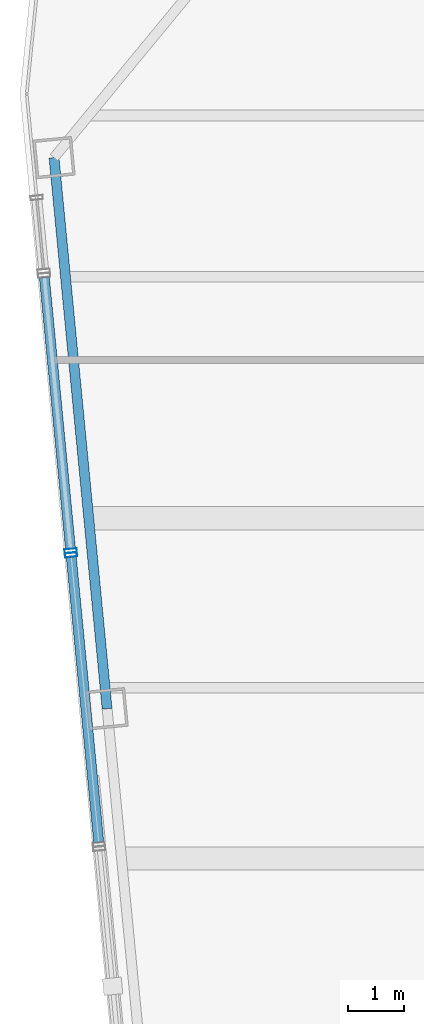
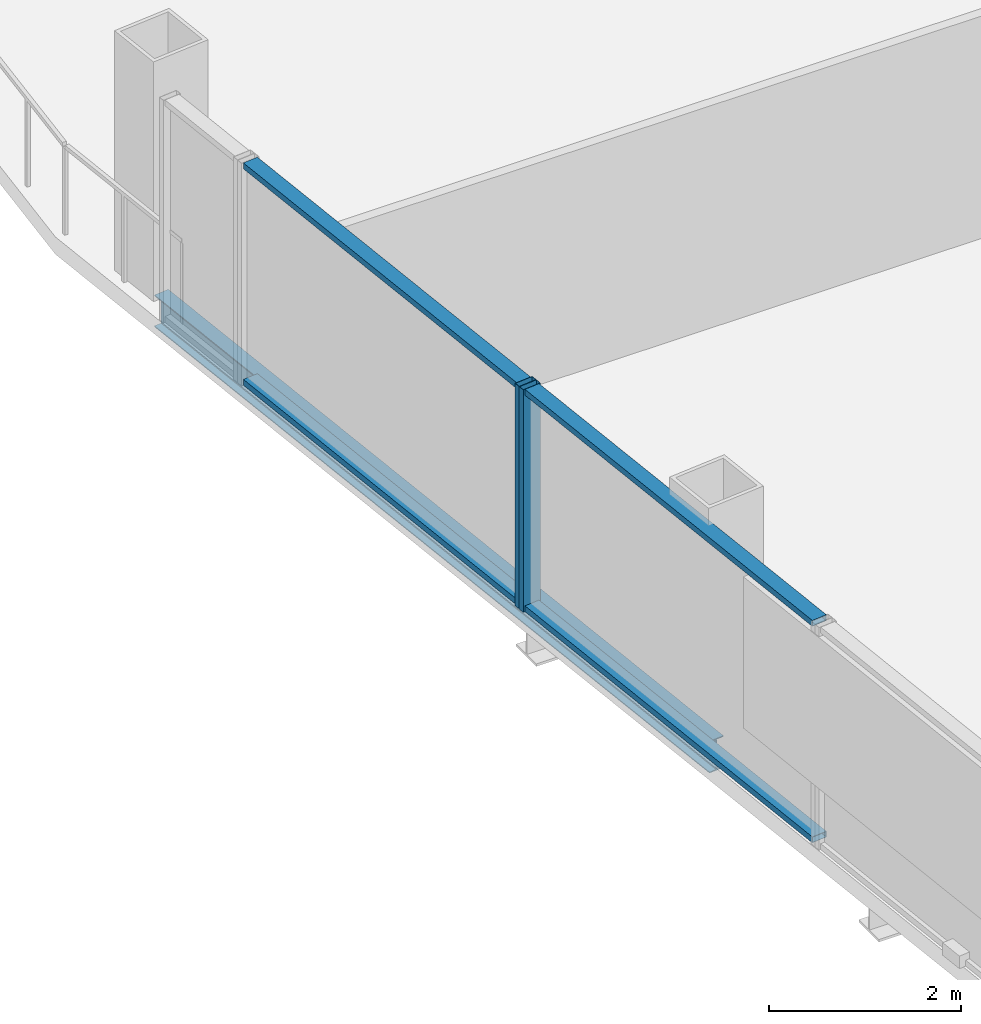
# One storey, part 7 of 22: 6 members, 1 beam, 2 elements without a shape of their own.
"""IFC4 building model written with IfcOpenShell, lengths in metres."""

from ifc_helpers import new_model, si_unit, direction, frame, origin, origin_2d, place, context, subcontext, project, spatial, hollow_rectangle, i_section, extrude, material, layer, layer_set, material_profile, profile_set, type_object, element, aggregate, save


model = new_model("IFC4")

# Units and contexts
model_context = context("Model", 3, precision=1e-05, world=origin(), true_north=direction((0.0, 1.0)))
body_context = subcontext(model_context, "Body", "Model", "MODEL_VIEW")
ifc_project = project(units=[si_unit("LENGTHUNIT", "METRE"), si_unit("AREAUNIT", "SQUARE_METRE"), si_unit("VOLUMEUNIT", "CUBIC_METRE"), si_unit("PLANEANGLEUNIT", "RADIAN"), si_unit("MASSUNIT", "GRAM", prefix="KILO")], contexts=[model_context])

# Site, building, storey
site_placement = place(None, origin())
site = spatial("IfcSite", under=ifc_project, at=site_placement, CompositionType="ELEMENT")
building_placement = place(site_placement, origin())
building = spatial("IfcBuilding", under=site, at=building_placement, Name="Qhalaya Broadcast Tower", CompositionType="ELEMENT")
storey_placement = place(building_placement, frame((0.0, 0.0, 165.300048828125)))
storey = spatial("IfcBuildingStorey", under=building, at=storey_placement, Name="L48", CompositionType="ELEMENT", Elevation=165.300048828125)

# Curtain wall, member
ifc_material_1 = material(Name="Fired Architectural Terracotta", Category="masonry")
ifc_layer_1 = layer(ifc_material_1, 0.219970703125, Name="Fired Architectural Terracotta")
ifc_layer_set_1 = layer_set([ifc_layer_1], Name="Fired Architectural Terracotta")
curtain_wall_type_1 = type_object("IfcCurtainWallType", Name="Block-Cap Unitised Terracotta Spandrel Wall CW-07", PredefinedType="NOTDEFINED", material=ifc_layer_set_1)
curtain_wall_1_placement = place(storey_placement, origin())
curtain_wall_1 = element("IfcCurtainWall", 1, at=curtain_wall_1_placement, inside=storey, type_object=curtain_wall_type_1, Name="L48 Unitised Curtain Wall L48-CW-W2", PredefinedType="NOTDEFINED")
ifc_material_2 = material(Name="Anodised Aluminium 6063-T6", Category="aluminium")
ifc_material_profile_1 = material_profile(ifc_material_2, hollow_rectangle(XDim=0.074951171875, YDim=0.219970703125, WallThickness=0.00390625, at=origin_2d()), Name="ALU-MUL 75x220x4")
ifc_profile_set_1 = profile_set([ifc_material_profile_1], Name="Anodised Aluminium 6063-T6")
member_type_1 = type_object("IfcMemberType", Name="Unitised Curtain-Wall Mullion M01", PredefinedType="MULLION", material=ifc_profile_set_1)
member_1_placement = place(storey_placement, frame((-25.22802734375, 9.364501953125, 0.0), z_axis=(0.0, 0.0, 1.0), x_axis=(0.09584506238, -0.99539626482, 0.0)))
member_1 = element("IfcMember", 2, at=member_1_placement, type_object=member_type_1, Name="CW-07 mullion 2", PredefinedType="MULLION", context=body_context, shape_type="SweptSolid", body=[
    extrude(hollow_rectangle(XDim=0.074951171875, YDim=0.219970703125, WallThickness=0.00390625, at=origin_2d()), origin(), (0.0, 0.0, 1.0), 2.829833984375),
])

ifc_material_3 = material(Name="Solar-Control Low-E Triple Glazing", Category="glass")
ifc_layer_2 = layer(ifc_material_3, 0.219970703125, Name="Solar-Control Low-E Triple Glazing")
ifc_layer_set_2 = layer_set([ifc_layer_2], Name="Solar-Control Low-E Triple Glazing")
curtain_wall_type_2 = type_object("IfcCurtainWallType", Name="Even-Block 4-Storey Double-Module Curtain Wall CW-03", PredefinedType="NOTDEFINED", material=ifc_layer_set_2)
curtain_wall_2_placement = place(storey_placement, origin())
curtain_wall_2 = element("IfcCurtainWall", 3, at=curtain_wall_2_placement, inside=storey, type_object=curtain_wall_type_2, Name="L48 Unitised Curtain Wall L48-CW-W3", PredefinedType="NOTDEFINED")
member_2_placement = place(storey_placement, frame((-25.220947265625, 9.289794921875, 0.0), z_axis=(0.0, 0.0, 1.0), x_axis=(0.095839772631, -0.995396774147, 0.0)))
member_2 = element("IfcMember", 4, at=member_2_placement, type_object=member_type_1, Name="CW-03 mullion 1", PredefinedType="MULLION", context=body_context, shape_type="SweptSolid", body=[
    extrude(hollow_rectangle(XDim=0.074951171875, YDim=0.219970703125, WallThickness=0.00390625, at=origin_2d()), origin(), (0.0, 0.0, 1.0), 2.829833984375),
])

# Member
ifc_material_profile_2 = material_profile(ifc_material_2, hollow_rectangle(XDim=0.074951171875, YDim=0.179931640625, WallThickness=0.00390625, at=origin_2d()), Name="ALU-TRN 75x180x4")
ifc_profile_set_2 = profile_set([ifc_material_profile_2], Name="Anodised Aluminium 6063-T6")
member_type_2 = type_object("IfcMemberType", Name="Unitised Curtain-Wall Transom T01", PredefinedType="USERDEFINED", material=ifc_profile_set_2)
member_3_placement = place(storey_placement, frame((-25.701904296875, 14.285400390625, 0.037353515625), z_axis=(0.095842309482, -0.995396529888, 0.0), x_axis=(0.0, 0.0, 1.0)))
member_3 = element("IfcMember", 5, at=member_3_placement, type_object=member_type_2, Name="CW-07 transom 1.1", ObjectType="TRANSOM", PredefinedType="USERDEFINED", context=body_context, shape_type="SweptSolid", body=[
    extrude(hollow_rectangle(XDim=0.074951171875, YDim=0.179931640625, WallThickness=0.00390625, at=origin_2d()), origin(), (0.0, 0.0, 1.0), 4.90625),
])

member_4_placement = place(storey_placement, frame((-25.701904296875, 14.285400390625, 2.79248046875), z_axis=(0.095842309482, -0.995396529888, 0.0), x_axis=(0.0, 0.0, 1.0)))
member_4 = element("IfcMember", 6, at=member_4_placement, type_object=member_type_2, Name="CW-07 transom 1.2", ObjectType="TRANSOM", PredefinedType="USERDEFINED", context=body_context, shape_type="SweptSolid", body=[
    extrude(hollow_rectangle(XDim=0.074951171875, YDim=0.179931640625, WallThickness=0.00390625, at=origin_2d()), origin(), (0.0, 0.0, 1.0), 4.90625),
])

aggregate(curtain_wall_1, [member_1, member_3, member_4])

member_5_placement = place(storey_placement, frame((-25.21728515625, 9.25244140625, 0.037353515625), z_axis=(0.09584040213, -0.995396713537, 0.0), x_axis=(0.0, 0.0, 1.0)))
member_5 = element("IfcMember", 7, at=member_5_placement, type_object=member_type_2, Name="CW-03 transom 1.1", ObjectType="TRANSOM", PredefinedType="USERDEFINED", context=body_context, shape_type="SweptSolid", body=[
    extrude(hollow_rectangle(XDim=0.074951171875, YDim=0.179931640625, WallThickness=0.00390625, at=origin_2d()), origin(), (0.0, 0.0, 1.0), 5.160888671875),
])

member_6_placement = place(storey_placement, frame((-25.21728515625, 9.25244140625, 2.79248046875), z_axis=(0.09584040213, -0.995396713537, 0.0), x_axis=(0.0, 0.0, 1.0)))
member_6 = element("IfcMember", 8, at=member_6_placement, type_object=member_type_2, Name="CW-03 transom 1.2", ObjectType="TRANSOM", PredefinedType="USERDEFINED", context=body_context, shape_type="SweptSolid", body=[
    extrude(hollow_rectangle(XDim=0.074951171875, YDim=0.179931640625, WallThickness=0.00390625, at=origin_2d()), origin(), (0.0, 0.0, 1.0), 5.160888671875),
])

aggregate(curtain_wall_2, [member_2, member_5, member_6])

# Beam
ifc_material_4 = material(Name="Structural Steel ASTM A992 Grade 50", Category="steel")
ifc_material_profile_3 = material_profile(ifc_material_4, i_section(OverallWidth=0.177978515625, OverallDepth=0.406005859375, WebThickness=0.0078125, FlangeThickness=0.0126953125, at=origin_2d()), Name="W16X40")
ifc_profile_set_3 = profile_set([ifc_material_profile_3], Name="Structural Steel ASTM A992 Grade 50")
beam_type = type_object("IfcBeamType", Name="Upper Perimeter Spandrel Beam SP2", PredefinedType="SPANDREL", material=ifc_profile_set_3)
beam_placement = place(storey_placement, frame((-25.52783203125, 16.44189453125, -0.423095703125), z_axis=(0.095852900965, -0.995395510024, 0.0), x_axis=(0.995395510024, 0.095852900965, 0.0)))
element("IfcBeam", 9, at=beam_placement, inside=storey, type_object=beam_type, Name="L48 SP2 L48-SPR-13", PredefinedType="SPANDREL", context=body_context, shape_type="SweptSolid", body=[
    extrude(i_section(OverallWidth=0.177978515625, OverallDepth=0.406005859375, WebThickness=0.0078125, FlangeThickness=0.0126953125, at=origin_2d()), origin(), (0.0, 0.0, 1.0), 9.966552734375),
])

save(model, "model.ifc")
